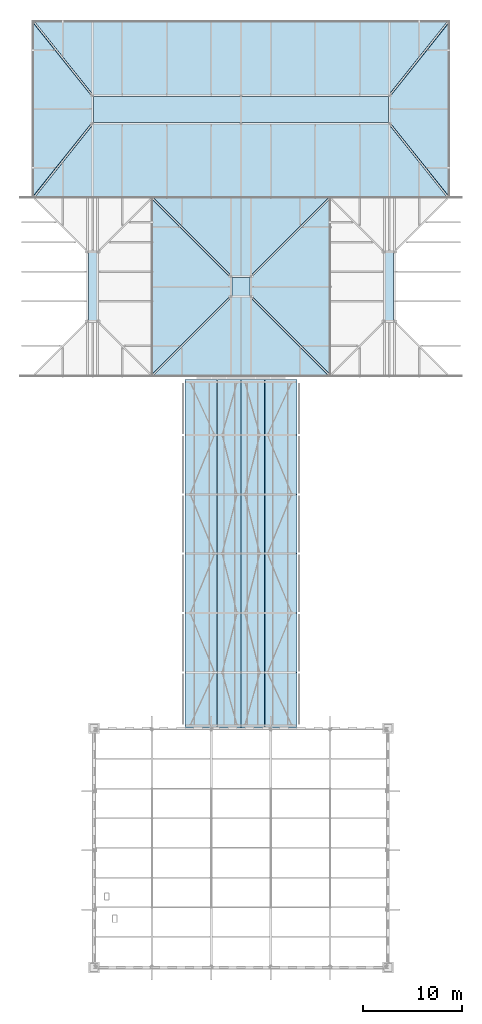
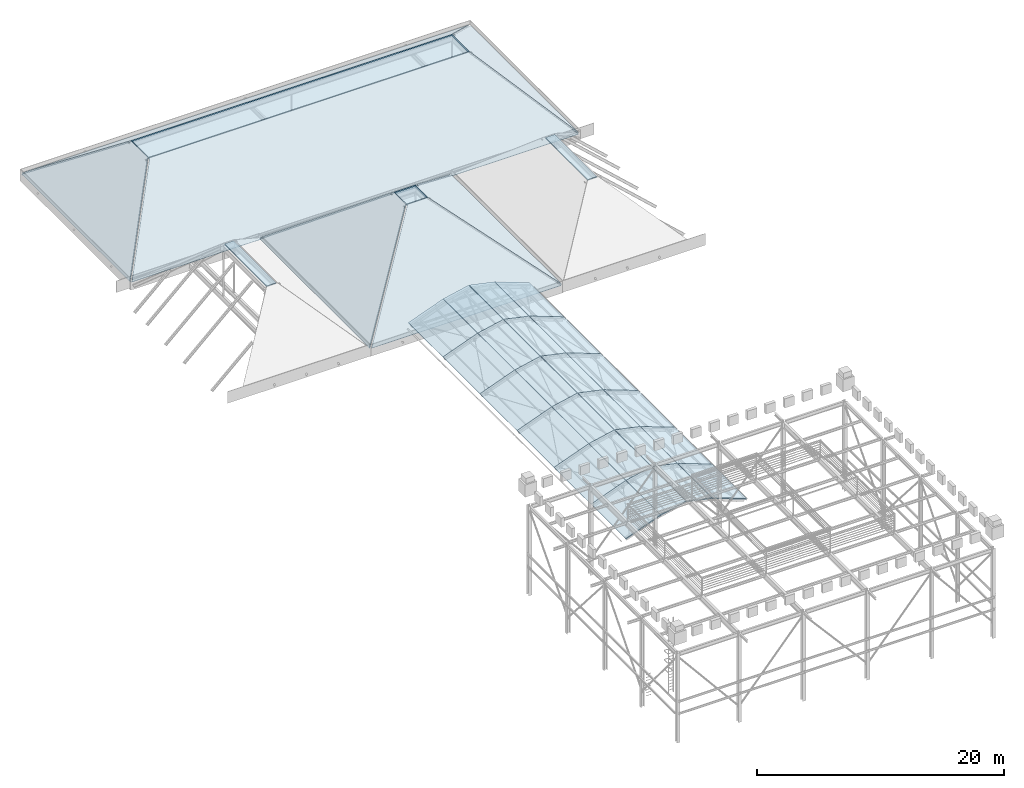
# One storey, part 36 of 57: 36 slabs, 3 elements without a shape of their own.
"""IFC4 building model written with IfcOpenShell, lengths in metres."""

from ifc_helpers import new_model, si_unit, direction, frame, origin, place, context, subcontext, project, spatial, polyline, outline, extrude, material, layer, layer_set, type_object, element, aggregate, save


model = new_model("IFC4")

# Units and contexts
model_context = context("Model", 3, precision=1e-05, world=origin(), true_north=direction((0.0, 1.0)))
body_context = subcontext(model_context, "Body", "Model", "MODEL_VIEW")
ifc_project = project(units=[si_unit("LENGTHUNIT", "METRE"), si_unit("AREAUNIT", "SQUARE_METRE"), si_unit("VOLUMEUNIT", "CUBIC_METRE"), si_unit("PLANEANGLEUNIT", "RADIAN"), si_unit("MASSUNIT", "GRAM", prefix="KILO")], contexts=[model_context])

# Site, building, storey
site_placement = place(None, origin())
site = spatial("IfcSite", under=ifc_project, at=site_placement, CompositionType="ELEMENT")
building_placement = place(site_placement, origin())
building = spatial("IfcBuilding", under=site, at=building_placement, Name="Saffron Lane Theatres", CompositionType="ELEMENT")
storey_placement = place(building_placement, frame((0.0, 0.0, 28.0)))
storey = spatial("IfcBuildingStorey", under=building, at=storey_placement, Name="Upper Roof", CompositionType="ELEMENT", Elevation=28.0)

# Slab
ifc_material_1 = material(Name="Steel Grade 350 insulated roof deck", Category="steel")
ifc_layer_1 = layer(ifc_material_1, 0.10009765625)
ifc_layer_set_1 = layer_set([ifc_layer_1], Name="Steel Grade 350 insulated roof deck")
slab_type_1 = type_object("IfcSlabType", Name="ST-STUDIO ROOF DECK", PredefinedType="ROOF", material=ifc_layer_set_1)
slab_1_placement = place(storey_placement, frame((0.0, 0.0, 5.56103515625)))
element("IfcSlab", 1, at=slab_1_placement, inside=storey, type_object=slab_type_1, Name="BK1-D5", PredefinedType="ROOF", context=body_context, shape_type="SweptSolid", body=[
    extrude(outline(polyline([(17.570068359375, 95.570068359375), (18.429931640625, 95.570068359375), (18.429931640625, 102.429931640625), (17.570068359375, 102.429931640625), (17.570068359375, 95.570068359375)])), origin(), (0.0, 0.0, 1.0), 0.118896484375),
])

# Roof, slabs
roof_1_placement = place(storey_placement, origin())
roof_1 = element("IfcRoof", 2, at=roof_1_placement, inside=storey, Name="BK2-R1", PredefinedType="HIP_ROOF")
slab_2_placement = place(storey_placement, frame((32.07080078125, 97.92919921875, 7.1416015625), z_axis=(0.0, -0.636349105899, 0.771401202632), x_axis=(-0.61093807599, 0.610701659275, 0.50378383327)))
slab_2 = element("IfcSlab", 3, at=slab_2_placement, type_object=slab_type_1, Name="BK2-D1", PredefinedType="ROOF", context=body_context, shape_type="SweptSolid", body=[
    extrude(outline(polyline([(0.0, 0.0), (0.11588863754356045, 6.938893903907228e-18), (-1.1059875144370386, -1.583356772562989), (-1.135366365829629, -1.4712538760680507), (-14.11739828013319, -1.4690127629784118), (-3.293234175002322, 12.557378958810663), (0.0, 0.0)])), origin(), (0.0, 0.0, -1.0), 0.10009765625),
])
slab_3_placement = place(storey_placement, frame((32.07080078125, 100.07080078125, 7.1416015625), z_axis=(0.0, 0.636349105899, 0.771401202632), x_axis=(-0.610801397929, 0.610783007863, -0.503850939856)))
slab_3 = element("IfcSlab", 4, at=slab_3_placement, type_object=slab_type_1, Name="BK2-D2", PredefinedType="ROOF", context=body_context, shape_type="SweptSolid", body=[
    extrude(outline(polyline([(0.0, 0.0), (12.982032107747383, 0.0), (2.160289566798066, -14.028260108983021), (-1.1351123635346039, -1.4714498546173178), (-1.2510009993513207, -1.4714698606949785), (-0.029398203492745262, 0.1120978230970694), (0.0, 0.0)])), origin(), (0.0, 0.0, -1.0), 0.10009765625),
])
slab_4_placement = place(storey_placement, frame((24.0, 90.141357421875, 0.6005859375), z_axis=(-0.636349105899, 0.0, 0.771401202632), x_axis=(0.0, 1.0, 0.0)))
slab_4 = element("IfcSlab", 5, at=slab_4_placement, type_object=slab_type_1, Name="BK2-D3", PredefinedType="ROOF", context=body_context, shape_type="SweptSolid", body=[
    extrude(outline(polyline([(0.0, 0.0), (17.71728515625, 0.0), (9.787841796875, -10.278963257889762), (9.858642578125, -10.37070978744861), (7.858642578125, -10.37070978744861), (7.929443359375, -10.278963257889762), (0.0, 0.0)])), origin(), (0.0, 0.0, -1.0), 0.10009765625),
])
slab_5_placement = place(storey_placement, frame((42.0, 90.141357421875, 0.6005859375), z_axis=(0.636349105899, 0.0, 0.771401202632), x_axis=(-0.610783007863, 0.610801397929, 0.503850939856)))
slab_5 = element("IfcSlab", 6, at=slab_5_placement, type_object=slab_type_1, Name="BK2-D4", PredefinedType="ROOF", context=body_context, shape_type="SweptSolid", body=[
    extrude(outline(polyline([(0.0, 0.0), (12.982032107747383, 0.0), (13.011430311240131, 0.1120978230970695), (14.233033107098706, -1.4714698606949774), (14.11714447128199, -1.4714498546173171), (10.821742540949318, -14.028260108983021), (0.0, 0.0)])), origin(), (0.0, 0.0, -1.0), 0.10009765625),
])
slab_6_placement = place(storey_placement, frame((0.0, 0.0, 7.0673828125)))
slab_6 = element("IfcSlab", 7, at=slab_6_placement, type_object=slab_type_1, Name="BK2-D5", PredefinedType="ROOF", context=body_context, shape_type="SweptSolid", body=[
    extrude(outline(polyline([(32.070068359375, 98.070068359375), (33.929931640625, 98.070068359375), (33.929931640625, 99.929931640625), (32.070068359375, 99.929931640625), (32.070068359375, 98.070068359375)])), origin(), (0.0, 0.0, 1.0), 0.112548828125),
])
aggregate(roof_1, [slab_2, slab_3, slab_4, slab_5, slab_6])

# Slab
slab_7_placement = place(storey_placement, frame((0.0, 0.0, 5.56103515625)))
element("IfcSlab", 8, at=slab_7_placement, inside=storey, type_object=slab_type_1, Name="BK3-D5", PredefinedType="ROOF", context=body_context, shape_type="SweptSolid", body=[
    extrude(outline(polyline([(47.570068359375, 95.570068359375), (48.429931640625, 95.570068359375), (48.429931640625, 102.429931640625), (47.570068359375, 102.429931640625), (47.570068359375, 95.570068359375)])), origin(), (0.0, 0.0, 1.0), 0.118896484375),
])

# Roof, slabs
roof_2_placement = place(storey_placement, origin())
roof_2 = element("IfcRoof", 9, at=roof_2_placement, inside=storey, Name="BK4-R1", PredefinedType="HIP_ROOF")
slab_8_placement = place(storey_placement, frame((18.078125, 115.4375, 6.052978515625), z_axis=(0.0, -0.60232614283, 0.79825009719), x_axis=(-0.706443108415, 0.564977336891, 0.4263082727)))
slab_8 = element("IfcSlab", 10, at=slab_8_placement, type_object=slab_type_1, Name="BK4-D1", PredefinedType="ROOF", context=body_context, shape_type="SweptSolid", body=[
    extrude(outline(polyline([(0.0, 0.0), (0.11058923085156419, 3.469446951953614e-18), (-21.082704021597614, -21.23309494905752), (-21.08291151675934, -21.122505912864515), (-31.880700298689508, -18.751576517127198), (-2.391184780376801, 10.793321274049182), (0.0, 0.0)])), origin(), (0.0, 0.0, -1.0), 0.10009765625),
])
slab_9_placement = place(storey_placement, frame((18.078125, 118.362548828125, 6.052978515625), z_axis=(0.0, 0.60232614283, 0.79825009719), x_axis=(-0.538212430738, 0.672772540869, -0.507646025939)))
slab_9 = element("IfcSlab", 11, at=slab_9_placement, type_object=slab_type_1, Name="BK4-D2", PredefinedType="ROOF", context=body_context, shape_type="SweptSolid", body=[
    extrude(outline(polyline([(0.0, 0.0), (11.05502368965116, -1.3322676295501878e-15), (-11.411928906166873, -35.181935024286695), (-16.062277229841715, -25.15258762541557), (-16.17029320428139, -25.176305282259978), (-0.023920282136833768, 0.10797128360279333), (0.0, 0.0)])), origin(), (0.0, 0.0, -1.0), 0.10009765625),
])
slab_10_placement = place(storey_placement, frame((12.0, 108.16015625, 0.44091796875), z_axis=(-0.686141552006, 0.0, 0.727468054701), x_axis=(0.0, 1.0, 0.0)))
slab_10 = element("IfcSlab", 12, at=slab_10_placement, type_object=slab_type_1, Name="BK4-D3", PredefinedType="ROOF", context=body_context, shape_type="SweptSolid", body=[
    extrude(outline(polyline([(0.0, 0.0), (17.479736328125, 0.0), (10.077392578125, -8.140383682037696), (10.139892578125, -8.247806662069484), (7.33984375, -8.247806662069484), (7.40234375, -8.140383682037696), (0.0, 0.0)])), origin(), (0.0, 0.0, -1.0), 0.10009765625),
])
slab_11_placement = place(storey_placement, frame((54.0, 108.16015625, 0.44091796875), z_axis=(0.686141552006, 0.0, 0.727468054701), x_axis=(-0.538217109445, 0.672772059173, 0.507641703858)))
slab_11 = element("IfcSlab", 13, at=slab_11_placement, type_object=slab_type_1, Name="BK4-D4", PredefinedType="ROOF", context=body_context, shape_type="SweptSolid", body=[
    extrude(outline(polyline([(0.0, 0.0), (11.002751450612235, -8.881784197001252e-16), (11.04018006937184, 0.11851179323872474), (12.923974685255176, -1.9531038286982052), (12.802449559098916, -1.979134394416509), (11.759878203278348, -12.932379778866368), (0.0, 0.0)])), origin(), (0.0, 0.0, -1.0), 0.10009765625),
])
slab_12_placement = place(storey_placement, frame((0.0, 0.0, 5.95947265625)))
slab_12 = element("IfcSlab", 14, at=slab_12_placement, type_object=slab_type_1, Name="BK4-D5", PredefinedType="ROOF", context=body_context, shape_type="SweptSolid", body=[
    extrude(outline(polyline([(18.070068359375, 115.570068359375), (47.929931640625, 115.570068359375), (47.929931640625, 118.22998046875), (18.070068359375, 118.22998046875), (18.070068359375, 115.570068359375)])), origin(), (0.0, 0.0, 1.0), 0.12060546875),
])
aggregate(roof_2, [slab_8, slab_9, slab_10, slab_11, slab_12])

roof_3_placement = place(storey_placement, origin())
roof_3 = element("IfcRoof", 15, at=roof_3_placement, inside=storey, Name="Barrel vault V1 crown", PredefinedType="BARREL_ROOF")
ifc_material_2 = material(Name="Steel Grade 350 insulated roof deck", Category="steel")
ifc_layer_2 = layer(ifc_material_2, 0.10009765625)
ifc_layer_set_2 = layer_set([ifc_layer_2], Name="Steel Grade 350 insulated roof deck")
slab_type_2 = type_object("IfcSlabType", Name="ST-VAULT DECK", PredefinedType="ROOF", material=ifc_layer_set_2)
slab_13_placement = place(storey_placement, frame((27.345458984375, 54.375, 2.2578125), z_axis=(-0.349584976027, 0.0, 0.936904661391), x_axis=(0.936904661391, 0.0, 0.349584976027)))
slab_13 = element("IfcSlab", 16, at=slab_13_placement, type_object=slab_type_2, Name="VD1C", PredefinedType="ROOF", context=body_context, shape_type="SweptSolid", body=[
    extrude(outline(polyline([(0.0, 0.0), (3.461833777525732, 0.0), (3.461833777525732, 5.625), (0.0, 5.625), (0.0, 0.0)])), origin(), (0.0, 0.0, -1.0), 0.10009765625),
])
slab_14_placement = place(storey_placement, frame((30.602783203125, 54.375, 3.47216796875), z_axis=(-0.209467339738, 0.0, 0.977815643965), x_axis=(0.977815643965, 0.0, 0.209467339738)))
slab_14 = element("IfcSlab", 17, at=slab_14_placement, type_object=slab_type_2, Name="VD1D", PredefinedType="ROOF", context=body_context, shape_type="SweptSolid", body=[
    extrude(outline(polyline([(0.0, 0.0), (2.4301316079265267, 0.0), (2.4301316079265267, 5.625), (0.0, 5.625), (0.0, 0.0)])), origin(), (0.0, 0.0, -1.0), 0.10009765625),
])
slab_15_placement = place(storey_placement, frame((33.02099609375, 54.375, 3.981201171875), z_axis=(0.209467339738, 0.0, 0.977815643965), x_axis=(0.977815643965, 0.0, -0.209467339738)))
slab_15 = element("IfcSlab", 18, at=slab_15_placement, type_object=slab_type_2, Name="VD1E", PredefinedType="ROOF", context=body_context, shape_type="SweptSolid", body=[
    extrude(outline(polyline([(0.0, 0.0), (2.4301316079265267, 0.0), (2.4301316079265267, 5.625), (0.0, 5.625), (0.0, 0.0)])), origin(), (0.0, 0.0, -1.0), 0.10009765625),
])
slab_16_placement = place(storey_placement, frame((35.4111328125, 54.375, 3.468017578125), z_axis=(0.349584976027, 0.0, 0.936904661391), x_axis=(0.936904661391, 0.0, -0.349584976027)))
slab_16 = element("IfcSlab", 19, at=slab_16_placement, type_object=slab_type_2, Name="VD1F", PredefinedType="ROOF", context=body_context, shape_type="SweptSolid", body=[
    extrude(outline(polyline([(0.0, 0.0), (3.461833777525732, 0.0), (3.461833777525732, 5.625), (0.0, 5.625), (0.0, 0.0)])), origin(), (0.0, 0.0, -1.0), 0.10009765625),
])
slab_17_placement = place(storey_placement, frame((27.345458984375, 60.0, 2.2578125), z_axis=(-0.349584976027, 0.0, 0.936904661391), x_axis=(0.936904661391, 0.0, 0.349584976027)))
slab_17 = element("IfcSlab", 20, at=slab_17_placement, type_object=slab_type_2, Name="VD2C", PredefinedType="ROOF", context=body_context, shape_type="SweptSolid", body=[
    extrude(outline(polyline([(0.0, 0.0), (3.461833777525732, 0.0), (3.461833777525732, 6.0), (0.0, 6.0), (0.0, 0.0)])), origin(), (0.0, 0.0, -1.0), 0.10009765625),
])
slab_18_placement = place(storey_placement, frame((30.602783203125, 60.0, 3.47216796875), z_axis=(-0.209467339738, 0.0, 0.977815643965), x_axis=(0.977815643965, 0.0, 0.209467339738)))
slab_18 = element("IfcSlab", 21, at=slab_18_placement, type_object=slab_type_2, Name="VD2D", PredefinedType="ROOF", context=body_context, shape_type="SweptSolid", body=[
    extrude(outline(polyline([(0.0, 0.0), (2.4301316079265267, 0.0), (2.4301316079265267, 6.0), (0.0, 6.0), (0.0, 0.0)])), origin(), (0.0, 0.0, -1.0), 0.10009765625),
])
slab_19_placement = place(storey_placement, frame((33.02099609375, 60.0, 3.981201171875), z_axis=(0.209467339738, 0.0, 0.977815643965), x_axis=(0.977815643965, 0.0, -0.209467339738)))
slab_19 = element("IfcSlab", 22, at=slab_19_placement, type_object=slab_type_2, Name="VD2E", PredefinedType="ROOF", context=body_context, shape_type="SweptSolid", body=[
    extrude(outline(polyline([(0.0, 0.0), (2.4301316079265267, 0.0), (2.4301316079265267, 6.0), (0.0, 6.0), (0.0, 0.0)])), origin(), (0.0, 0.0, -1.0), 0.10009765625),
])
slab_20_placement = place(storey_placement, frame((35.4111328125, 60.0, 3.468017578125), z_axis=(0.349584976027, 0.0, 0.936904661391), x_axis=(0.936904661391, 0.0, -0.349584976027)))
slab_20 = element("IfcSlab", 23, at=slab_20_placement, type_object=slab_type_2, Name="VD2F", PredefinedType="ROOF", context=body_context, shape_type="SweptSolid", body=[
    extrude(outline(polyline([(0.0, 0.0), (3.461833777525732, 0.0), (3.461833777525732, 6.0), (0.0, 6.0), (0.0, 0.0)])), origin(), (0.0, 0.0, -1.0), 0.10009765625),
])
slab_21_placement = place(storey_placement, frame((27.345458984375, 66.0, 2.2578125), z_axis=(-0.349584976027, 0.0, 0.936904661391), x_axis=(0.936904661391, 0.0, 0.349584976027)))
slab_21 = element("IfcSlab", 24, at=slab_21_placement, type_object=slab_type_2, Name="VD3C", PredefinedType="ROOF", context=body_context, shape_type="SweptSolid", body=[
    extrude(outline(polyline([(0.0, 0.0), (3.461833777525732, 0.0), (3.461833777525732, 6.0), (0.0, 6.0), (0.0, 0.0)])), origin(), (0.0, 0.0, -1.0), 0.10009765625),
])
slab_22_placement = place(storey_placement, frame((30.602783203125, 66.0, 3.47216796875), z_axis=(-0.209467339738, 0.0, 0.977815643965), x_axis=(0.977815643965, 0.0, 0.209467339738)))
slab_22 = element("IfcSlab", 25, at=slab_22_placement, type_object=slab_type_2, Name="VD3D", PredefinedType="ROOF", context=body_context, shape_type="SweptSolid", body=[
    extrude(outline(polyline([(0.0, 0.0), (2.4301316079265267, 0.0), (2.4301316079265267, 6.0), (0.0, 6.0), (0.0, 0.0)])), origin(), (0.0, 0.0, -1.0), 0.10009765625),
])
slab_23_placement = place(storey_placement, frame((33.02099609375, 66.0, 3.981201171875), z_axis=(0.209467339738, 0.0, 0.977815643965), x_axis=(0.977815643965, 0.0, -0.209467339738)))
slab_23 = element("IfcSlab", 26, at=slab_23_placement, type_object=slab_type_2, Name="VD3E", PredefinedType="ROOF", context=body_context, shape_type="SweptSolid", body=[
    extrude(outline(polyline([(0.0, 0.0), (2.4301316079265267, 0.0), (2.4301316079265267, 6.0), (0.0, 6.0), (0.0, 0.0)])), origin(), (0.0, 0.0, -1.0), 0.10009765625),
])
slab_24_placement = place(storey_placement, frame((35.4111328125, 66.0, 3.468017578125), z_axis=(0.349584976027, 0.0, 0.936904661391), x_axis=(0.936904661391, 0.0, -0.349584976027)))
slab_24 = element("IfcSlab", 27, at=slab_24_placement, type_object=slab_type_2, Name="VD3F", PredefinedType="ROOF", context=body_context, shape_type="SweptSolid", body=[
    extrude(outline(polyline([(0.0, 0.0), (3.461833777525732, 0.0), (3.461833777525732, 6.0), (0.0, 6.0), (0.0, 0.0)])), origin(), (0.0, 0.0, -1.0), 0.10009765625),
])
slab_25_placement = place(storey_placement, frame((27.345458984375, 72.0, 2.2578125), z_axis=(-0.349584976027, 0.0, 0.936904661391), x_axis=(0.936904661391, 0.0, 0.349584976027)))
slab_25 = element("IfcSlab", 28, at=slab_25_placement, type_object=slab_type_2, Name="VD4C", PredefinedType="ROOF", context=body_context, shape_type="SweptSolid", body=[
    extrude(outline(polyline([(0.0, 0.0), (3.461833777525732, 0.0), (3.461833777525732, 6.0), (0.0, 6.0), (0.0, 0.0)])), origin(), (0.0, 0.0, -1.0), 0.10009765625),
])
slab_26_placement = place(storey_placement, frame((30.602783203125, 72.0, 3.47216796875), z_axis=(-0.209467339738, 0.0, 0.977815643965), x_axis=(0.977815643965, 0.0, 0.209467339738)))
slab_26 = element("IfcSlab", 29, at=slab_26_placement, type_object=slab_type_2, Name="VD4D", PredefinedType="ROOF", context=body_context, shape_type="SweptSolid", body=[
    extrude(outline(polyline([(0.0, 0.0), (2.4301316079265267, 0.0), (2.4301316079265267, 6.0), (0.0, 6.0), (0.0, 0.0)])), origin(), (0.0, 0.0, -1.0), 0.10009765625),
])
slab_27_placement = place(storey_placement, frame((33.02099609375, 72.0, 3.981201171875), z_axis=(0.209467339738, 0.0, 0.977815643965), x_axis=(0.977815643965, 0.0, -0.209467339738)))
slab_27 = element("IfcSlab", 30, at=slab_27_placement, type_object=slab_type_2, Name="VD4E", PredefinedType="ROOF", context=body_context, shape_type="SweptSolid", body=[
    extrude(outline(polyline([(0.0, 0.0), (2.4301316079265267, 0.0), (2.4301316079265267, 6.0), (0.0, 6.0), (0.0, 0.0)])), origin(), (0.0, 0.0, -1.0), 0.10009765625),
])
slab_28_placement = place(storey_placement, frame((35.4111328125, 72.0, 3.468017578125), z_axis=(0.349584976027, 0.0, 0.936904661391), x_axis=(0.936904661391, 0.0, -0.349584976027)))
slab_28 = element("IfcSlab", 31, at=slab_28_placement, type_object=slab_type_2, Name="VD4F", PredefinedType="ROOF", context=body_context, shape_type="SweptSolid", body=[
    extrude(outline(polyline([(0.0, 0.0), (3.461833777525732, 0.0), (3.461833777525732, 6.0), (0.0, 6.0), (0.0, 0.0)])), origin(), (0.0, 0.0, -1.0), 0.10009765625),
])
slab_29_placement = place(storey_placement, frame((27.345458984375, 78.0, 2.2578125), z_axis=(-0.349584976027, 0.0, 0.936904661391), x_axis=(0.936904661391, 0.0, 0.349584976027)))
slab_29 = element("IfcSlab", 32, at=slab_29_placement, type_object=slab_type_2, Name="VD5C", PredefinedType="ROOF", context=body_context, shape_type="SweptSolid", body=[
    extrude(outline(polyline([(0.0, 0.0), (3.461833777525732, 0.0), (3.461833777525732, 6.0), (0.0, 6.0), (0.0, 0.0)])), origin(), (0.0, 0.0, -1.0), 0.10009765625),
])
slab_30_placement = place(storey_placement, frame((30.602783203125, 78.0, 3.47216796875), z_axis=(-0.209467339738, 0.0, 0.977815643965), x_axis=(0.977815643965, 0.0, 0.209467339738)))
slab_30 = element("IfcSlab", 33, at=slab_30_placement, type_object=slab_type_2, Name="VD5D", PredefinedType="ROOF", context=body_context, shape_type="SweptSolid", body=[
    extrude(outline(polyline([(0.0, 0.0), (2.4301316079265267, 0.0), (2.4301316079265267, 6.0), (0.0, 6.0), (0.0, 0.0)])), origin(), (0.0, 0.0, -1.0), 0.10009765625),
])
slab_31_placement = place(storey_placement, frame((33.02099609375, 78.0, 3.981201171875), z_axis=(0.209467339738, 0.0, 0.977815643965), x_axis=(0.977815643965, 0.0, -0.209467339738)))
slab_31 = element("IfcSlab", 34, at=slab_31_placement, type_object=slab_type_2, Name="VD5E", PredefinedType="ROOF", context=body_context, shape_type="SweptSolid", body=[
    extrude(outline(polyline([(0.0, 0.0), (2.4301316079265267, 0.0), (2.4301316079265267, 6.0), (0.0, 6.0), (0.0, 0.0)])), origin(), (0.0, 0.0, -1.0), 0.10009765625),
])
slab_32_placement = place(storey_placement, frame((35.4111328125, 78.0, 3.468017578125), z_axis=(0.349584976027, 0.0, 0.936904661391), x_axis=(0.936904661391, 0.0, -0.349584976027)))
slab_32 = element("IfcSlab", 35, at=slab_32_placement, type_object=slab_type_2, Name="VD5F", PredefinedType="ROOF", context=body_context, shape_type="SweptSolid", body=[
    extrude(outline(polyline([(0.0, 0.0), (3.461833777525732, 0.0), (3.461833777525732, 6.0), (0.0, 6.0), (0.0, 0.0)])), origin(), (0.0, 0.0, -1.0), 0.10009765625),
])
slab_33_placement = place(storey_placement, frame((27.345458984375, 84.0, 2.2578125), z_axis=(-0.349584976027, 0.0, 0.936904661391), x_axis=(0.936904661391, 0.0, 0.349584976027)))
slab_33 = element("IfcSlab", 36, at=slab_33_placement, type_object=slab_type_2, Name="VD6C", PredefinedType="ROOF", context=body_context, shape_type="SweptSolid", body=[
    extrude(outline(polyline([(0.0, 0.0), (3.461833777525732, 0.0), (3.461833777525732, 5.60009765625), (0.0, 5.60009765625), (0.0, 0.0)])), origin(), (0.0, 0.0, -1.0), 0.10009765625),
])
slab_34_placement = place(storey_placement, frame((30.602783203125, 84.0, 3.47216796875), z_axis=(-0.209467339738, 0.0, 0.977815643965), x_axis=(0.977815643965, 0.0, 0.209467339738)))
slab_34 = element("IfcSlab", 37, at=slab_34_placement, type_object=slab_type_2, Name="VD6D", PredefinedType="ROOF", context=body_context, shape_type="SweptSolid", body=[
    extrude(outline(polyline([(0.0, 0.0), (2.4301316079265267, 0.0), (2.4301316079265267, 5.600097656250001), (0.0, 5.600097656250001), (0.0, 0.0)])), origin(), (0.0, 0.0, -1.0), 0.10009765625),
])
slab_35_placement = place(storey_placement, frame((33.02099609375, 84.0, 3.981201171875), z_axis=(0.209467339738, 0.0, 0.977815643965), x_axis=(0.977815643965, 0.0, -0.209467339738)))
slab_35 = element("IfcSlab", 38, at=slab_35_placement, type_object=slab_type_2, Name="VD6E", PredefinedType="ROOF", context=body_context, shape_type="SweptSolid", body=[
    extrude(outline(polyline([(0.0, 0.0), (2.4301316079265267, 0.0), (2.4301316079265267, 5.600097656250001), (0.0, 5.600097656250001), (0.0, 0.0)])), origin(), (0.0, 0.0, -1.0), 0.10009765625),
])
slab_36_placement = place(storey_placement, frame((35.4111328125, 84.0, 3.468017578125), z_axis=(0.349584976027, 0.0, 0.936904661391), x_axis=(0.936904661391, 0.0, -0.349584976027)))
slab_36 = element("IfcSlab", 39, at=slab_36_placement, type_object=slab_type_2, Name="VD6F", PredefinedType="ROOF", context=body_context, shape_type="SweptSolid", body=[
    extrude(outline(polyline([(0.0, 0.0), (3.461833777525732, 0.0), (3.461833777525732, 5.60009765625), (0.0, 5.60009765625), (0.0, 0.0)])), origin(), (0.0, 0.0, -1.0), 0.10009765625),
])
aggregate(roof_3, [slab_13, slab_14, slab_15, slab_16, slab_17, slab_18, slab_19, slab_20, slab_21, slab_22, slab_23, slab_24, slab_25, slab_26, slab_27, slab_28, slab_29, slab_30, slab_31, slab_32, slab_33, slab_34, slab_35, slab_36])

save(model, "model.ifc")
